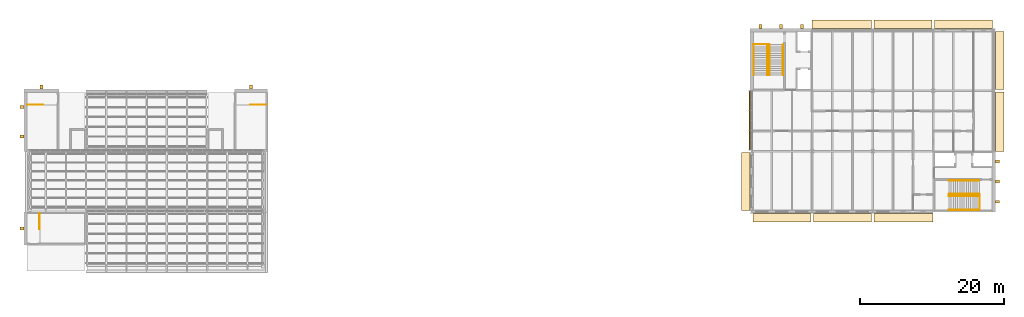
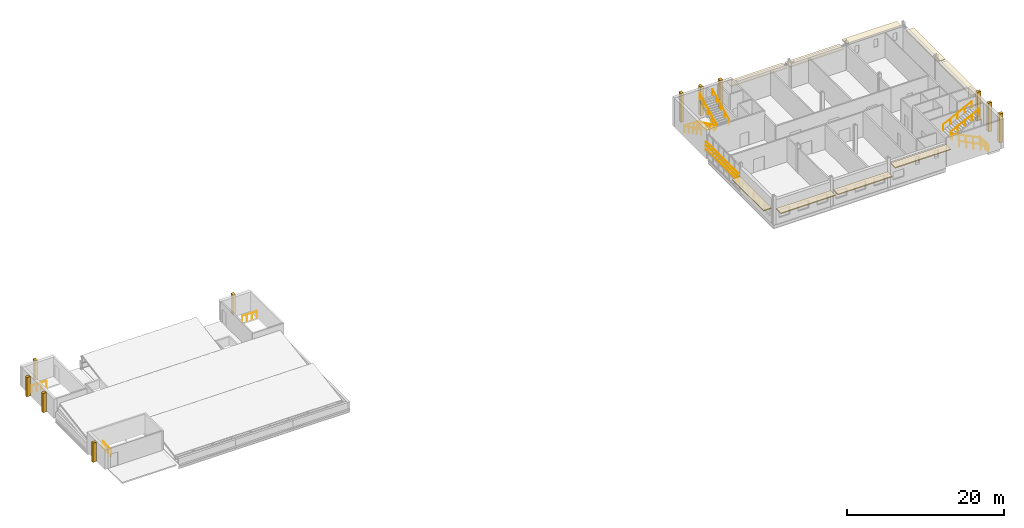
# One storey, part 42 of 42: 23 coverings, 13 railings.
"""IFC4 building model written with IfcOpenShell, lengths in metres."""

from ifc_helpers import new_model, si_unit, direction, frame, origin, origin_2d, place, context, subcontext, project, spatial, rectangle, circle, extrude, material, layer, layer_set, material_profile, profile_set, type_object, element, save


model = new_model("IFC4")

# Units and contexts
model_context = context("Model", 3, precision=1e-05, world=origin(), true_north=direction((0.0, 1.0)))
body_context = subcontext(model_context, "Body", "Model", "MODEL_VIEW")
ifc_project = project(units=[si_unit("LENGTHUNIT", "METRE"), si_unit("AREAUNIT", "SQUARE_METRE"), si_unit("VOLUMEUNIT", "CUBIC_METRE"), si_unit("PLANEANGLEUNIT", "RADIAN"), si_unit("MASSUNIT", "GRAM", prefix="KILO")], contexts=[model_context])

# Site, building, storey
site_placement = place(None, origin())
site = spatial("IfcSite", under=ifc_project, at=site_placement, CompositionType="ELEMENT")
building_placement = place(site_placement, origin())
building = spatial("IfcBuilding", under=site, at=building_placement, Name="Ardhachandra Cancer Care Centre", CompositionType="ELEMENT")
storey_placement = place(building_placement, frame((0.0, 0.0, 22.5)))
storey = spatial("IfcBuildingStorey", under=building, at=storey_placement, Name="L05", CompositionType="ELEMENT", Elevation=22.5)

# Railings
ifc_material_1 = material(Name="Steel E250 (IS 2062)", Category="steel")
railing_type_1 = type_object("IfcRailingType", Name="Guard 1100", PredefinedType="GUARDRAIL", material=ifc_material_1)
railing_1_placement = place(storey_placement, frame((11.054931640625, 94.659912109375, 0.0)))
element("IfcRailing", 1, at=railing_1_placement, inside=storey, type_object=railing_type_1, Name="Stair well guard K4 L05", PredefinedType="GUARDRAIL", context=body_context, shape_type="SweptSolid", body=[
    extrude(circle(Radius=0.02392578125, at=origin_2d()), frame((0.0, 0.0, 1.076171875), z_axis=(1.0, 0.0, 0.0), x_axis=(0.0, 1.0, 0.0)), (0.0, 0.0, 1.0), 2.170166015625),
    extrude(circle(Radius=0.02099609375, at=origin_2d()), origin(), (0.0, 0.0, 1.0), 1.052001953125),
    extrude(circle(Radius=0.02099609375, at=origin_2d()), frame((0.723388671875, 0.0, 0.0)), (0.0, 0.0, 1.0), 1.052001953125),
    extrude(circle(Radius=0.02099609375, at=origin_2d()), frame((1.44677734375, 0.0, 0.0)), (0.0, 0.0, 1.0), 1.052001953125),
    extrude(circle(Radius=0.02099609375, at=origin_2d()), frame((2.170166015625, 0.0, 0.0)), (0.0, 0.0, 1.0), 1.052001953125),
])
railing_2_placement = place(storey_placement, frame((44.169921875, 94.659912109375, 0.0)))
element("IfcRailing", 2, at=railing_2_placement, inside=storey, type_object=railing_type_1, Name="Stair well guard K5 L05", PredefinedType="GUARDRAIL", context=body_context, shape_type="SweptSolid", body=[
    extrude(circle(Radius=0.02392578125, at=origin_2d()), frame((0.0, 0.0, 1.076171875), z_axis=(-1.0, 0.0, 0.0), x_axis=(0.0, -1.0, 0.0)), (0.0, 0.0, 1.0), 2.169921875),
    extrude(circle(Radius=0.02099609375, at=origin_2d()), origin(), (0.0, 0.0, 1.0), 1.052001953125),
    extrude(circle(Radius=0.02099609375, at=origin_2d()), frame((-0.723388671875, 0.0, 0.0)), (0.0, 0.0, 1.0), 1.052001953125),
    extrude(circle(Radius=0.02099609375, at=origin_2d()), frame((-1.446533203125, 0.0, 0.0)), (0.0, 0.0, 1.0), 1.052001953125),
    extrude(circle(Radius=0.02099609375, at=origin_2d()), frame((-2.169921875, 0.0, 0.0)), (0.0, 0.0, 1.0), 1.052001953125),
])
railing_3_placement = place(storey_placement, frame((12.739990234375, 79.570068359375, 0.0)))
element("IfcRailing", 3, at=railing_3_placement, inside=storey, type_object=railing_type_1, Name="Stair well guard K6 L05", PredefinedType="GUARDRAIL", context=body_context, shape_type="SweptSolid", body=[
    extrude(circle(Radius=0.02392578125, at=origin_2d()), frame((0.0, 0.0, 1.076171875), z_axis=(0.0, -1.0, 0.0), x_axis=(1.0, 0.0, 0.0)), (0.0, 0.0, 1.0), 2.170166015625),
    extrude(circle(Radius=0.02099609375, at=origin_2d()), origin(), (0.0, 0.0, 1.0), 1.052001953125),
    extrude(circle(Radius=0.02099609375, at=origin_2d()), frame((0.0, -0.723388671875, 0.0)), (0.0, 0.0, 1.0), 1.052001953125),
    extrude(circle(Radius=0.02099609375, at=origin_2d()), frame((0.0, -1.44677734375, 0.0)), (0.0, 0.0, 1.0), 1.052001953125),
    extrude(circle(Radius=0.02099609375, at=origin_2d()), frame((0.0, -2.170166015625, 0.0)), (0.0, 0.0, 1.0), 1.052001953125),
])
railing_4_placement = place(storey_placement, frame((111.85498046875, 103.06005859375, 0.0)))
element("IfcRailing", 4, at=railing_4_placement, inside=storey, type_object=railing_type_1, Name="Stair well guard K12 L05", PredefinedType="GUARDRAIL", context=body_context, shape_type="SweptSolid", body=[
    extrude(circle(Radius=0.02392578125, at=origin_2d()), frame((0.0, 0.0, 1.076171875), z_axis=(1.0, 0.0, 0.0), x_axis=(0.0, 1.0, 0.0)), (0.0, 0.0, 1.0), 2.169921875),
    extrude(circle(Radius=0.02099609375, at=origin_2d()), origin(), (0.0, 0.0, 1.0), 1.052001953125),
    extrude(circle(Radius=0.02099609375, at=origin_2d()), frame((0.723388671875, 0.0, 0.0)), (0.0, 0.0, 1.0), 1.052001953125),
    extrude(circle(Radius=0.02099609375, at=origin_2d()), frame((1.446533203125, 0.0, 0.0)), (0.0, 0.0, 1.0), 1.052001953125),
    extrude(circle(Radius=0.02099609375, at=origin_2d()), frame((2.169921875, 0.0, 0.0)), (0.0, 0.0, 1.0), 1.052001953125),
])
railing_5_placement = place(storey_placement, frame((143.260009765625, 80.030029296875, 0.0)))
element("IfcRailing", 5, at=railing_5_placement, inside=storey, type_object=railing_type_1, Name="Stair well guard K13 L05", PredefinedType="GUARDRAIL", context=body_context, shape_type="SweptSolid", body=[
    extrude(circle(Radius=0.02392578125, at=origin_2d()), frame((0.0, 0.0, 1.076171875), z_axis=(0.0, 1.0, 0.0), x_axis=(-1.0, 0.0, 0.0)), (0.0, 0.0, 1.0), 2.169921875),
    extrude(circle(Radius=0.02099609375, at=origin_2d()), origin(), (0.0, 0.0, 1.0), 1.052001953125),
    extrude(circle(Radius=0.02099609375, at=origin_2d()), frame((0.0, 0.723388671875, 0.0)), (0.0, 0.0, 1.0), 1.052001953125),
    extrude(circle(Radius=0.02099609375, at=origin_2d()), frame((0.0, 1.446533203125, 0.0)), (0.0, 0.0, 1.0), 1.052001953125),
    extrude(circle(Radius=0.02099609375, at=origin_2d()), frame((0.0, 2.169921875, 0.0)), (0.0, 0.0, 1.0), 1.052001953125),
])

# Coverings
ifc_material_2 = material(Name="Anodised aluminium extrusion", Category="aluminium")
ifc_material_profile = material_profile(ifc_material_2, rectangle(XDim=0.199951171875, YDim=0.02001953125, at=origin_2d()), Name="Louvre blade 200 x 20")
ifc_profile_set = profile_set([ifc_material_profile], Name="Anodised aluminium extrusion")
covering_type_1 = type_object("IfcCoveringType", Name="Louvre blade 200 x 20", PredefinedType="CLADDING", material=ifc_profile_set)
for number, where, z_axis, x_axis, name in (
    (6, (111.344970703125, 88.3798828125, 1.5), (0.0, 1.0, 0.0), (-0.819152044289, 0.0, 0.573576436351), "Louvre blade over curtain wall L05/w/0111600_0088200 1"),
    (7, (111.344970703125, 88.3798828125, 2.10009765625), (0.0, 1.0, 0.0), (-0.819152044289, 0.0, 0.573576436351), "Louvre blade over curtain wall L05/w/0111600_0088200 2"),
    (8, (111.344970703125, 88.3798828125, 2.699951171875), (0.0, 1.0, 0.0), (-0.819152044289, 0.0, 0.573576436351), "Louvre blade over curtain wall L05/w/0111600_0088200 3"),
):
    element("IfcCovering", number, at=place(storey_placement, frame(where, z_axis=z_axis, x_axis=x_axis)), inside=storey, type_object=covering_type_1, Name=name, PredefinedType="CLADDING", context=body_context, shape_type="SweptSolid", body=[
        extrude(rectangle(XDim=0.199951171875, YDim=0.02001953125, at=origin_2d()), origin(), (0.0, 0.0, 1.0), 8.190185546875),
    ])
ifc_material_3 = material(Name="Precast Concrete M25", Category="concrete")
ifc_layer_1 = layer(ifc_material_3, 0.39990234375)
ifc_layer_set_1 = layer_set([ifc_layer_1], Name="Precast Concrete M25")
covering_type_2 = type_object("IfcCoveringType", Name="Precast concrete fin 400 x 550", PredefinedType="CLADDING", material=ifc_layer_set_1)
for number, where, z_axis, x_axis, name in (
    (9, (13.0, 97.10009765625, 0.0), (0.0, 0.0, 1.0), (1.0, 0.0, 0.0), "Fin L05 core K4 1"),
    (10, (10.300048828125, 90.24365234375, 0.0), (0.0, 0.0, 1.0), (0.0, 1.0, 0.0), "Fin L05 core K4 1"),
    (11, (10.300048828125, 94.331298828125, 0.0), (0.0, 0.0, 1.0), (0.0, 1.0, 0.0), "Fin L05 core K4 2"),
    (12, (42.10009765625, 97.10009765625, 0.0), (0.0, 0.0, 1.0), (1.0, 0.0, 0.0), "Fin L05 core K5 1"),
    (13, (10.300048828125, 77.5, 0.0), (0.0, 0.0, 1.0), (0.0, 1.0, 0.0), "Fin L05 core K6 1"),
):
    element("IfcCovering", number, at=place(storey_placement, frame(where, z_axis=z_axis, x_axis=x_axis)), inside=storey, type_object=covering_type_2, Name=name, PredefinedType="CLADDING", context=body_context, shape_type="SweptSolid", body=[
        extrude(rectangle(XDim=0.39990234375, YDim=0.550048828125, at=origin_2d()), origin(), (0.0, 0.0, 1.0), 3.0),
    ])
for number, where, z_axis, x_axis, name in (
    (14, (112.8125, 105.5, 0.0), (0.0, 0.0, 1.0), (1.0, 0.0, 0.0), "Fin L05 core K12 1"),
    (15, (115.6875, 105.5, 0.0), (0.0, 0.0, 1.0), (1.0, 0.0, 0.0), "Fin L05 core K12 2"),
    (16, (118.5625, 105.5, 0.0), (0.0, 0.0, 1.0), (1.0, 0.0, 0.0), "Fin L05 core K12 3"),
    (17, (145.699951171875, 81.199951171875, 0.0), (0.0, 0.0, 1.0), (0.0, 1.0, 0.0), "Fin L05 core K13 1"),
    (18, (145.699951171875, 84.0, 0.0), (0.0, 0.0, 1.0), (0.0, 1.0, 0.0), "Fin L05 core K13 2"),
    (19, (145.699951171875, 86.800048828125, 0.0), (0.0, 0.0, 1.0), (0.0, 1.0, 0.0), "Fin L05 core K13 3"),
):
    element("IfcCovering", number, at=place(storey_placement, frame(where, z_axis=z_axis, x_axis=x_axis)), inside=storey, type_object=covering_type_2, Name=name, PredefinedType="CLADDING", context=body_context, shape_type="SweptSolid", body=[
        extrude(rectangle(XDim=0.39990234375, YDim=0.550048828125, at=origin_2d()), origin(), (0.0, 0.0, 1.0), 4.5),
    ])
ifc_material_4 = material(Name="Precast Concrete M25", Category="concrete")
ifc_layer_2 = layer(ifc_material_4, 0.14990234375)
ifc_layer_set_2 = layer_set([ifc_layer_2], Name="Precast Concrete M25")
covering_type_3 = type_object("IfcCoveringType", Name="Precast sunshade band 1200 x 150", PredefinedType="CLADDING", material=ifc_layer_set_2)
covering_1_placement = place(storey_placement, frame((141.0, 105.824951171875, 3.550048828125), z_axis=(0.0, 0.0, 1.0), x_axis=(1.0, 0.0, 0.0)))
element("IfcCovering", 20, at=covering_1_placement, inside=storey, type_object=covering_type_3, Name="Sunshade band L05 L05/n/0136800_0105000 1", PredefinedType="CLADDING", context=body_context, shape_type="SweptSolid", body=[
    extrude(rectangle(XDim=8.029052734375, YDim=1.199951171875, at=origin_2d()), origin(), (0.0, 0.0, 1.0), 0.14990234375),
])
for number, where, z_axis, x_axis, name in (
    (21, (115.800048828125, 78.97509765625, 2.35009765625), (0.0, 0.0, 1.0), (1.0, 0.0, 0.0), "Sunshade band L05 L05/s/0111600_0079800 1"),
    (22, (124.199951171875, 78.97509765625, 2.35009765625), (0.0, 0.0, 1.0), (1.0, 0.0, 0.0), "Sunshade band L05 L05/s/0120000_0079800 1"),
):
    element("IfcCovering", number, at=place(storey_placement, frame(where, z_axis=z_axis, x_axis=x_axis)), inside=storey, type_object=covering_type_3, Name=name, PredefinedType="CLADDING", context=body_context, shape_type="SweptSolid", body=[
        extrude(rectangle(XDim=8.0048828125, YDim=1.199951171875, at=origin_2d()), origin(), (0.0, 0.0, 1.0), 0.14990234375),
    ])
covering_2_placement = place(storey_placement, frame((132.69873046875, 78.97509765625, 3.550048828125), z_axis=(0.0, 0.0, 1.0), x_axis=(1.0, 0.0, 0.0)))
element("IfcCovering", 23, at=covering_2_placement, inside=storey, type_object=covering_type_3, Name="Sunshade band L05 L05/s/0128400_0079800 1", PredefinedType="CLADDING", context=body_context, shape_type="SweptSolid", body=[
    extrude(rectangle(XDim=8.202392578125, YDim=1.199951171875, at=origin_2d()), origin(), (0.0, 0.0, 1.0), 0.14990234375),
])
covering_3_placement = place(storey_placement, frame((110.77490234375, 84.02001953125, 2.35009765625), z_axis=(0.0, 0.0, 1.0), x_axis=(0.0, 1.0, 0.0)))
element("IfcCovering", 24, at=covering_3_placement, inside=storey, type_object=covering_type_3, Name="Sunshade band L05 L05/w/0111600_0079800 1", PredefinedType="CLADDING", context=body_context, shape_type="SweptSolid", body=[
    extrude(rectangle(XDim=8.06005859375, YDim=1.199951171875, at=origin_2d()), origin(), (0.0, 0.0, 1.0), 0.14990234375),
])
covering_4_placement = place(storey_placement, frame((146.02490234375, 92.30908203125, 2.949951171875), z_axis=(0.0, 0.0, 1.0), x_axis=(0.0, 1.0, 0.0)))
element("IfcCovering", 25, at=covering_4_placement, inside=storey, type_object=covering_type_3, Name="Sunshade band L05 L05/e/0145200_0088200 1", PredefinedType="CLADDING", context=body_context, shape_type="SweptSolid", body=[
    extrude(rectangle(XDim=8.218017578125, YDim=1.199951171875, at=origin_2d()), origin(), (0.0, 0.0, 1.0), 0.14990234375),
])
covering_5_placement = place(storey_placement, frame((146.02490234375, 100.800048828125, 2.949951171875), z_axis=(0.0, 0.0, 1.0), x_axis=(0.0, 1.0, 0.0)))
element("IfcCovering", 26, at=covering_5_placement, inside=storey, type_object=covering_type_3, Name="Sunshade band L05 L05/e/0145200_0096600 1", PredefinedType="CLADDING", context=body_context, shape_type="SweptSolid", body=[
    extrude(rectangle(XDim=8.035888671875, YDim=1.199951171875, at=origin_2d()), origin(), (0.0, 0.0, 1.0), 0.14990234375),
])
covering_6_placement = place(storey_placement, frame((124.107177734375, 105.824951171875, 2.949951171875), z_axis=(0.0, 0.0, 1.0), x_axis=(1.0, 0.0, 0.0)))
element("IfcCovering", 27, at=covering_6_placement, inside=storey, type_object=covering_type_3, Name="Sunshade band L05 L05/n/0120000_0105000 1", PredefinedType="CLADDING", context=body_context, shape_type="SweptSolid", body=[
    extrude(rectangle(XDim=8.214599609375, YDim=1.199951171875, at=origin_2d()), origin(), (0.0, 0.0, 1.0), 0.14990234375),
])
covering_7_placement = place(storey_placement, frame((132.60009765625, 105.824951171875, 2.949951171875), z_axis=(0.0, 0.0, 1.0), x_axis=(1.0, 0.0, 0.0)))
element("IfcCovering", 28, at=covering_7_placement, inside=storey, type_object=covering_type_3, Name="Sunshade band L05 L05/n/0128400_0105000 1", PredefinedType="CLADDING", context=body_context, shape_type="SweptSolid", body=[
    extrude(rectangle(XDim=8.029052734375, YDim=1.199951171875, at=origin_2d()), origin(), (0.0, 0.0, 1.0), 0.14990234375),
])

# Railings
ifc_material_5 = material(Name="Steel E250 (IS 2062)", Category="steel")
railing_type_2 = type_object("IfcRailingType", Name="Stair handrail 900", PredefinedType="HANDRAIL", material=ifc_material_5)
for number, where, name in (
    (29, (111.885009765625, 103.0, 0.14990234375), "Handrail K12 L05-Roof flight 1 wall side"),
    (30, (113.77490234375, 103.0, 0.14990234375), "Handrail K12 L05-Roof flight 1 well side"),
):
    element("IfcRailing", number, at=place(storey_placement, frame(where)), inside=storey, type_object=railing_type_2, Name=name, PredefinedType="HANDRAIL", context=body_context, shape_type="SweptSolid", body=[
        extrude(circle(Radius=0.02392578125, at=origin_2d()), frame((0.0, 0.0, 0.8759765625), z_axis=(0.0, -0.894416792377, 0.447234392142), x_axis=(1.0, 0.0, 0.0)), (0.0, 0.0, 1.0), 4.69580078125),
        extrude(circle(Radius=0.02099609375, at=origin_2d()), origin(), (0.0, 0.0, 1.0), 0.851806640625),
        extrude(circle(Radius=0.02099609375, at=origin_2d()), frame((0.0, -1.050048828125, 0.52490234375)), (0.0, 0.0, 1.0), 0.851806640625),
        extrude(circle(Radius=0.02099609375, at=origin_2d()), frame((0.0, -2.10009765625, 1.050048828125)), (0.0, 0.0, 1.0), 0.851806640625),
        extrude(circle(Radius=0.02099609375, at=origin_2d()), frame((0.0, -3.14990234375, 1.5751953125)), (0.0, 0.0, 1.0), 0.851806640625),
        extrude(circle(Radius=0.02099609375, at=origin_2d()), frame((0.0, -4.199951171875, 2.10009765625)), (0.0, 0.0, 1.0), 0.851806640625),
    ])
for number, where, name in (
    (31, (114.074951171875, 98.800048828125, 2.39990234375), "Handrail K12 L05-Roof flight 2 well side"),
    (32, (115.965087890625, 98.800048828125, 2.39990234375), "Handrail K12 L05-Roof flight 2 wall side"),
):
    element("IfcRailing", number, at=place(storey_placement, frame(where)), inside=storey, type_object=railing_type_2, Name=name, PredefinedType="HANDRAIL", context=body_context, shape_type="SweptSolid", body=[
        extrude(circle(Radius=0.02392578125, at=origin_2d()), frame((0.0, 0.0, 0.8759765625), z_axis=(0.0, 0.894416792377, 0.447234392142), x_axis=(-1.0, 0.0, 0.0)), (0.0, 0.0, 1.0), 4.69580078125),
        extrude(circle(Radius=0.02099609375, at=origin_2d()), origin(), (0.0, 0.0, 1.0), 0.851806640625),
        extrude(circle(Radius=0.02099609375, at=origin_2d()), frame((0.0, 1.050048828125, 0.52490234375)), (0.0, 0.0, 1.0), 0.851806640625),
        extrude(circle(Radius=0.02099609375, at=origin_2d()), frame((0.0, 2.10009765625, 1.050048828125)), (0.0, 0.0, 1.0), 0.851806640625),
        extrude(circle(Radius=0.02099609375, at=origin_2d()), frame((0.0, 3.14990234375, 1.5751953125)), (0.0, 0.0, 1.0), 0.851806640625),
        extrude(circle(Radius=0.02099609375, at=origin_2d()), frame((0.0, 4.199951171875, 2.10009765625)), (0.0, 0.0, 1.0), 0.851806640625),
    ])
for number, where, name in (
    (33, (143.199951171875, 80.06005859375, 0.14990234375), "Handrail K13 L05-Roof flight 1 wall side"),
    (34, (143.199951171875, 81.949951171875, 0.14990234375), "Handrail K13 L05-Roof flight 1 well side"),
):
    element("IfcRailing", number, at=place(storey_placement, frame(where)), inside=storey, type_object=railing_type_2, Name=name, PredefinedType="HANDRAIL", context=body_context, shape_type="SweptSolid", body=[
        extrude(circle(Radius=0.02392578125, at=origin_2d()), frame((0.0, 0.0, 0.8759765625), z_axis=(-0.894416792377, 0.0, 0.447234392142), x_axis=(0.0, -1.0, 0.0)), (0.0, 0.0, 1.0), 4.69580078125),
        extrude(circle(Radius=0.02099609375, at=origin_2d()), origin(), (0.0, 0.0, 1.0), 0.851806640625),
        extrude(circle(Radius=0.02099609375, at=origin_2d()), frame((-1.050048828125, 0.0, 0.52490234375)), (0.0, 0.0, 1.0), 0.851806640625),
        extrude(circle(Radius=0.02099609375, at=origin_2d()), frame((-2.10009765625, 0.0, 1.050048828125)), (0.0, 0.0, 1.0), 0.851806640625),
        extrude(circle(Radius=0.02099609375, at=origin_2d()), frame((-3.14990234375, 0.0, 1.5751953125)), (0.0, 0.0, 1.0), 0.851806640625),
        extrude(circle(Radius=0.02099609375, at=origin_2d()), frame((-4.199951171875, 0.0, 2.10009765625)), (0.0, 0.0, 1.0), 0.851806640625),
    ])
for number, where, name in (
    (35, (139.0, 82.25, 2.39990234375), "Handrail K13 L05-Roof flight 2 well side"),
    (36, (139.0, 84.139892578125, 2.39990234375), "Handrail K13 L05-Roof flight 2 wall side"),
):
    element("IfcRailing", number, at=place(storey_placement, frame(where)), inside=storey, type_object=railing_type_2, Name=name, PredefinedType="HANDRAIL", context=body_context, shape_type="SweptSolid", body=[
        extrude(circle(Radius=0.02392578125, at=origin_2d()), frame((0.0, 0.0, 0.8759765625), z_axis=(0.894416792377, 0.0, 0.447234392142), x_axis=(0.0, 1.0, 0.0)), (0.0, 0.0, 1.0), 4.69580078125),
        extrude(circle(Radius=0.02099609375, at=origin_2d()), origin(), (0.0, 0.0, 1.0), 0.851806640625),
        extrude(circle(Radius=0.02099609375, at=origin_2d()), frame((1.050048828125, 0.0, 0.52490234375)), (0.0, 0.0, 1.0), 0.851806640625),
        extrude(circle(Radius=0.02099609375, at=origin_2d()), frame((2.10009765625, 0.0, 1.050048828125)), (0.0, 0.0, 1.0), 0.851806640625),
        extrude(circle(Radius=0.02099609375, at=origin_2d()), frame((3.14990234375, 0.0, 1.5751953125)), (0.0, 0.0, 1.0), 0.851806640625),
        extrude(circle(Radius=0.02099609375, at=origin_2d()), frame((4.199951171875, 0.0, 2.10009765625)), (0.0, 0.0, 1.0), 0.851806640625),
    ])

save(model, "model.ifc")
